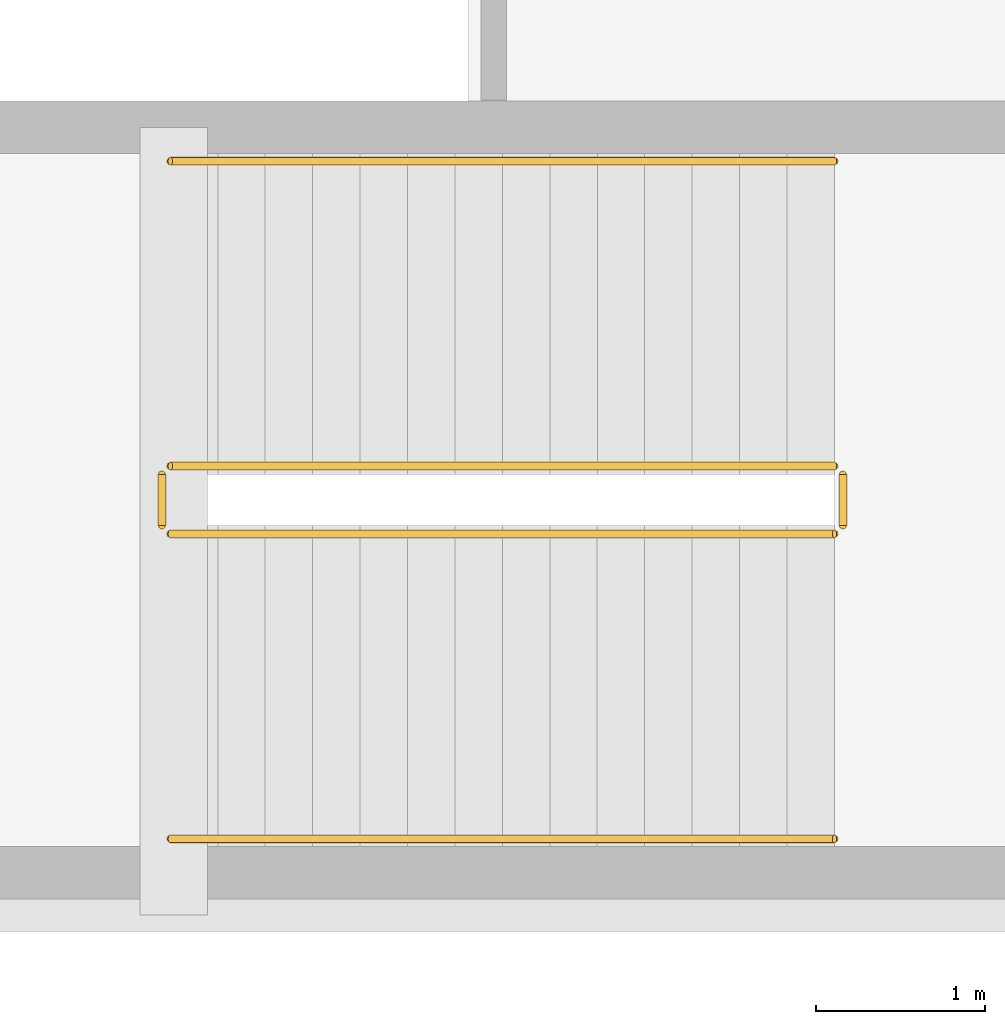
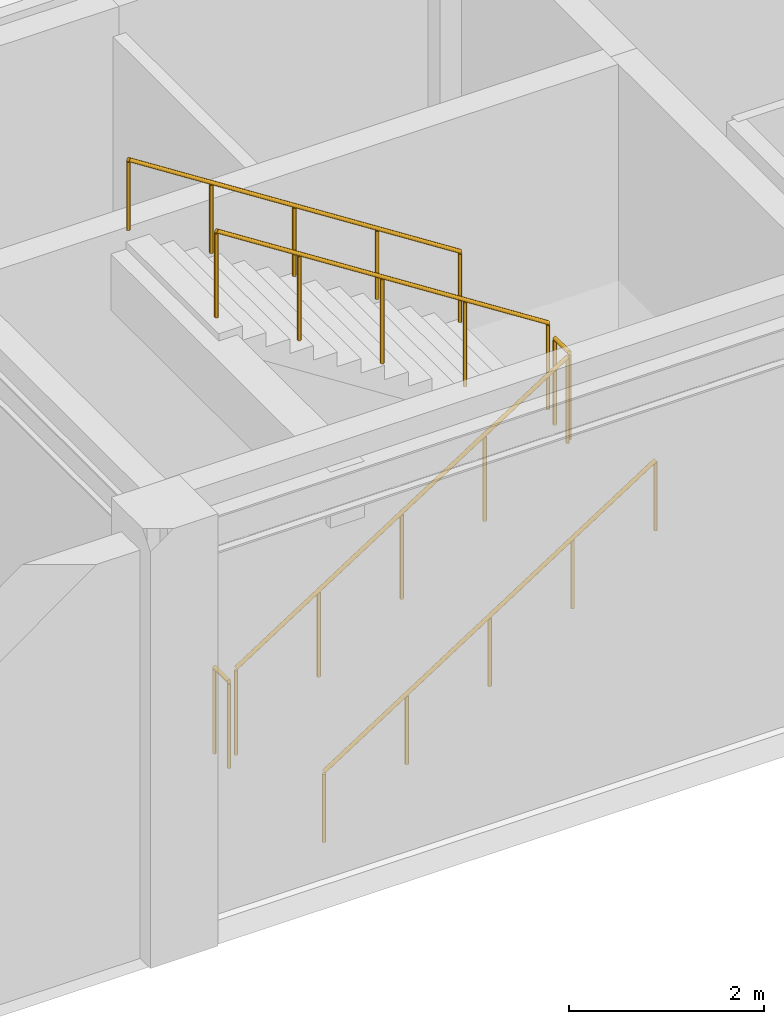
# One storey, part 46 of 52: 6 railings.
"""IFC4 building model written with IfcOpenShell, lengths in metres."""

from ifc_helpers import new_model, si_unit, direction, frame, origin, origin_2d, place, context, subcontext, project, spatial, circle, extrude, material, type_object, element, save


model = new_model("IFC4")

# Units and contexts
model_context = context("Model", 3, precision=1e-05, world=origin(), true_north=direction((0.0, 1.0)))
body_context = subcontext(model_context, "Body", "Model", "MODEL_VIEW")
ifc_project = project(units=[si_unit("LENGTHUNIT", "METRE"), si_unit("AREAUNIT", "SQUARE_METRE"), si_unit("VOLUMEUNIT", "CUBIC_METRE"), si_unit("PLANEANGLEUNIT", "RADIAN"), si_unit("MASSUNIT", "GRAM", prefix="KILO")], contexts=[model_context])

# Site, building, storey
site_placement = place(None, origin())
site = spatial("IfcSite", under=ifc_project, at=site_placement, CompositionType="ELEMENT")
building_placement = place(site_placement, origin())
building = spatial("IfcBuilding", under=site, at=building_placement, Name="Parian Resonance Hall", CompositionType="ELEMENT")
storey_placement = place(building_placement, origin())
storey = spatial("IfcBuildingStorey", under=building, at=storey_placement, Name="L00", CompositionType="ELEMENT", Elevation=0.0)

# Railings
ifc_material_1 = material(Name="Patinated bronze whiplash metalwork")
railing_type_1 = type_object("IfcRailingType", Name="RAIL-STAIR-GRD-1100", PredefinedType="GUARDRAIL", material=ifc_material_1)
railing_1_placement = place(storey_placement, frame((66.93994140625, 18.449951171875, 0.179931640625)))
element("IfcRailing", 1, at=railing_1_placement, inside=storey, type_object=railing_type_1, Name="L00 ST-03 stair guard 1", PredefinedType="GUARDRAIL", context=body_context, shape_type="SweptSolid", body=[
    extrude(circle(Radius=0.02392578125, at=origin_2d()), frame((0.0, 0.0, 1.076171875), z_axis=(0.841186985886, 0.0, 0.540744352514), x_axis=(0.0, 1.0, 0.0)), (0.0, 0.0, 1.0), 4.660400390625),
    extrude(circle(Radius=0.02099609375, at=origin_2d()), origin(), (0.0, 0.0, 1.0), 1.052001953125),
    extrude(circle(Radius=0.02099609375, at=origin_2d()), frame((0.97998046875, 0.0, 0.6298828125)), (0.0, 0.0, 1.0), 1.052001953125),
    extrude(circle(Radius=0.02099609375, at=origin_2d()), frame((1.9599609375, 0.0, 1.260009765625)), (0.0, 0.0, 1.0), 1.052001953125),
    extrude(circle(Radius=0.02099609375, at=origin_2d()), frame((2.940185546875, 0.0, 1.89013671875)), (0.0, 0.0, 1.0), 1.052001953125),
    extrude(circle(Radius=0.02099609375, at=origin_2d()), frame((3.920166015625, 0.0, 2.52001953125)), (0.0, 0.0, 1.0), 1.052001953125),
])
railing_2_placement = place(storey_placement, frame((70.909912109375, 18.5, 2.699951171875)))
element("IfcRailing", 2, at=railing_2_placement, inside=storey, type_object=railing_type_1, Name="L00 ST-03 stair guard 2", PredefinedType="GUARDRAIL", context=body_context, shape_type="SweptSolid", body=[
    extrude(circle(Radius=0.02392578125, at=origin_2d()), frame((0.0, 0.0, 1.076171875), z_axis=(0.0, 1.0, 0.0), x_axis=(-1.0, 0.0, 0.0)), (0.0, 0.0, 1.0), 0.300048828125),
    extrude(circle(Radius=0.02099609375, at=origin_2d()), origin(), (0.0, 0.0, 1.0), 1.052001953125),
    extrude(circle(Radius=0.02099609375, at=origin_2d()), frame((0.0, 0.300048828125, 0.0)), (0.0, 0.0, 1.0), 1.052001953125),
])
railing_3_placement = place(storey_placement, frame((70.860107421875, 18.85009765625, 2.8798828125)))
element("IfcRailing", 3, at=railing_3_placement, inside=storey, type_object=railing_type_1, Name="L00 ST-03 stair guard 3", PredefinedType="GUARDRAIL", context=body_context, shape_type="SweptSolid", body=[
    extrude(circle(Radius=0.02392578125, at=origin_2d()), frame((0.0, 0.0, 1.076171875), z_axis=(-0.841186985886, 0.0, 0.540744352514), x_axis=(0.0, -1.0, 0.0)), (0.0, 0.0, 1.0), 4.660400390625),
    extrude(circle(Radius=0.02099609375, at=origin_2d()), origin(), (0.0, 0.0, 1.0), 1.052001953125),
    extrude(circle(Radius=0.02099609375, at=origin_2d()), frame((-0.97998046875, 0.0, 0.6298828125)), (0.0, 0.0, 1.0), 1.052001953125),
    extrude(circle(Radius=0.02099609375, at=origin_2d()), frame((-1.9599609375, 0.0, 1.260009765625)), (0.0, 0.0, 1.0), 1.052001953125),
    extrude(circle(Radius=0.02099609375, at=origin_2d()), frame((-2.940185546875, 0.0, 1.89013671875)), (0.0, 0.0, 1.0), 1.052001953125),
    extrude(circle(Radius=0.02099609375, at=origin_2d()), frame((-3.920166015625, 0.0, 2.52001953125)), (0.0, 0.0, 1.0), 1.052001953125),
])
railing_4_placement = place(storey_placement, frame((66.889892578125, 18.5, 0.0)))
element("IfcRailing", 4, at=railing_4_placement, inside=storey, type_object=railing_type_1, Name="L00 ST-03 stair guard 4", PredefinedType="GUARDRAIL", context=body_context, shape_type="SweptSolid", body=[
    extrude(circle(Radius=0.02392578125, at=origin_2d()), frame((0.0, 0.0, 1.076171875), z_axis=(0.0, 1.0, 0.0), x_axis=(-1.0, 0.0, 0.0)), (0.0, 0.0, 1.0), 0.300048828125),
    extrude(circle(Radius=0.02099609375, at=origin_2d()), origin(), (0.0, 0.0, 1.0), 1.052001953125),
    extrude(circle(Radius=0.02099609375, at=origin_2d()), frame((0.0, 0.300048828125, 0.0)), (0.0, 0.0, 1.0), 1.052001953125),
])
ifc_material_2 = material(Name="Patinated bronze whiplash metalwork")
railing_type_2 = type_object("IfcRailingType", Name="RAIL-STAIR-HR-900", PredefinedType="HANDRAIL", material=ifc_material_2)
railing_5_placement = place(storey_placement, frame((66.93994140625, 16.64990234375, 0.179931640625)))
element("IfcRailing", 5, at=railing_5_placement, inside=storey, type_object=railing_type_2, Name="L00 ST-03 stair handrail 1", PredefinedType="HANDRAIL", context=body_context, shape_type="SweptSolid", body=[
    extrude(circle(Radius=0.02392578125, at=origin_2d()), frame((0.0, 0.0, 0.8759765625), z_axis=(0.841186985886, 0.0, 0.540744352514), x_axis=(0.0, 1.0, 0.0)), (0.0, 0.0, 1.0), 4.660400390625),
    extrude(circle(Radius=0.02099609375, at=origin_2d()), origin(), (0.0, 0.0, 1.0), 0.851806640625),
    extrude(circle(Radius=0.02099609375, at=origin_2d()), frame((0.97998046875, 0.0, 0.6298828125)), (0.0, 0.0, 1.0), 0.851806640625),
    extrude(circle(Radius=0.02099609375, at=origin_2d()), frame((1.9599609375, 0.0, 1.260009765625)), (0.0, 0.0, 1.0), 0.851806640625),
    extrude(circle(Radius=0.02099609375, at=origin_2d()), frame((2.940185546875, 0.0, 1.89013671875)), (0.0, 0.0, 1.0), 0.851806640625),
    extrude(circle(Radius=0.02099609375, at=origin_2d()), frame((3.920166015625, 0.0, 2.52001953125)), (0.0, 0.0, 1.0), 0.851806640625),
])
railing_6_placement = place(storey_placement, frame((70.860107421875, 20.64990234375, 2.8798828125)))
element("IfcRailing", 6, at=railing_6_placement, inside=storey, type_object=railing_type_2, Name="L00 ST-03 stair handrail 2", PredefinedType="HANDRAIL", context=body_context, shape_type="SweptSolid", body=[
    extrude(circle(Radius=0.02392578125, at=origin_2d()), frame((0.0, 0.0, 0.8759765625), z_axis=(-0.841186985886, 0.0, 0.540744352514), x_axis=(0.0, -1.0, 0.0)), (0.0, 0.0, 1.0), 4.660400390625),
    extrude(circle(Radius=0.02099609375, at=origin_2d()), origin(), (0.0, 0.0, 1.0), 0.851806640625),
    extrude(circle(Radius=0.02099609375, at=origin_2d()), frame((-0.97998046875, 0.0, 0.6298828125)), (0.0, 0.0, 1.0), 0.851806640625),
    extrude(circle(Radius=0.02099609375, at=origin_2d()), frame((-1.9599609375, 0.0, 1.260009765625)), (0.0, 0.0, 1.0), 0.851806640625),
    extrude(circle(Radius=0.02099609375, at=origin_2d()), frame((-2.940185546875, 0.0, 1.89013671875)), (0.0, 0.0, 1.0), 0.851806640625),
    extrude(circle(Radius=0.02099609375, at=origin_2d()), frame((-3.920166015625, 0.0, 2.52001953125)), (0.0, 0.0, 1.0), 0.851806640625),
])

save(model, "model.ifc")
